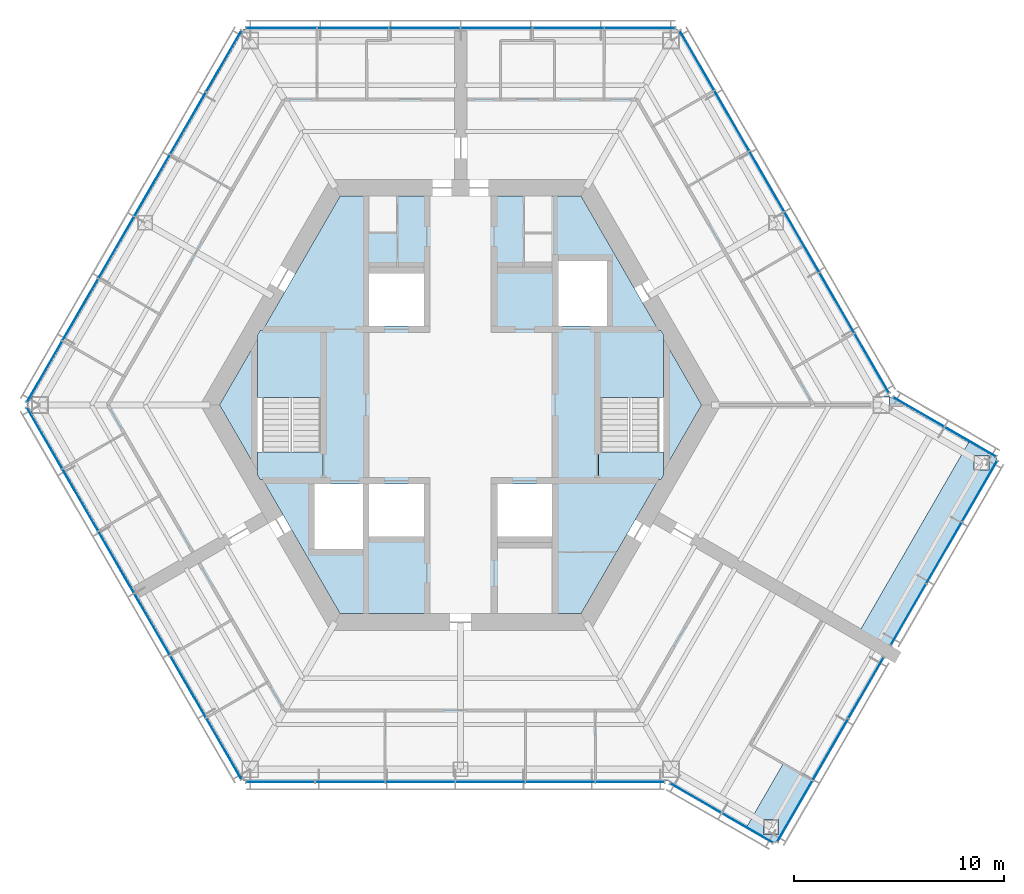
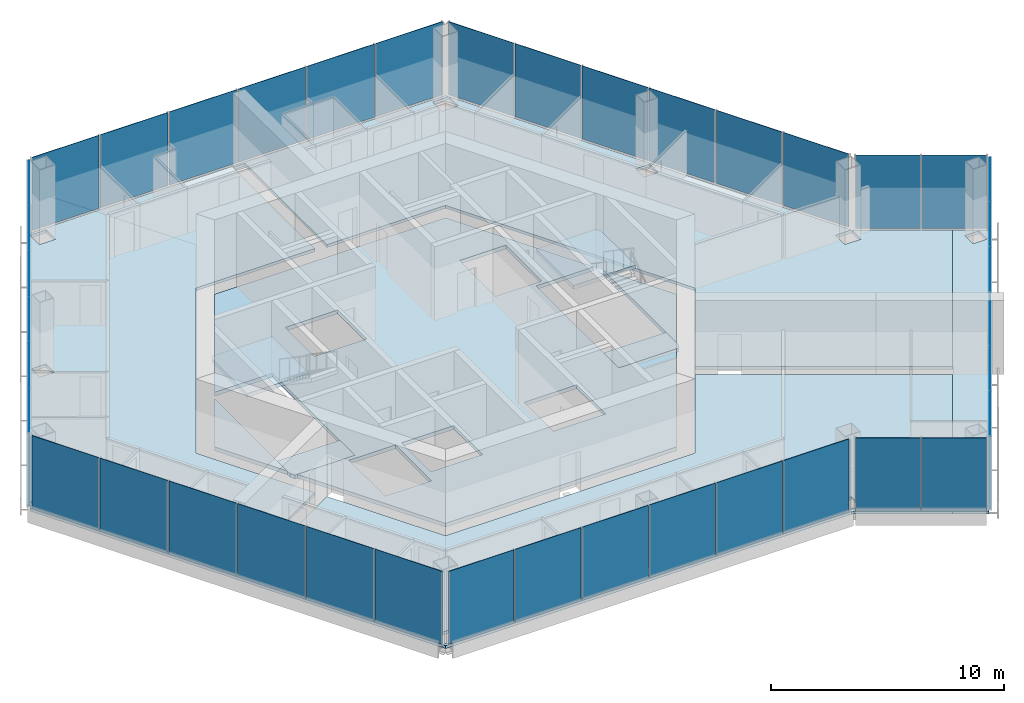
# One storey, part 6 of 13: 40 plates, 9 slabs, 11 elements without a shape of their own.
"""IFC4 building model written with IfcOpenShell, lengths in metres."""

from ifc_helpers import new_model, si_unit, direction, frame, origin, origin_2d, place, context, subcontext, project, spatial, polyline, rectangle, outline, extrude, material, layer, layer_set, type_object, element, aggregate, save


model = new_model("IFC4")

# Units and contexts
model_context = context("Model", 3, precision=1e-05, world=origin(), true_north=direction((0.0, 1.0)))
body_context = subcontext(model_context, "Body", "Model", "MODEL_VIEW")
ifc_project = project(units=[si_unit("LENGTHUNIT", "METRE"), si_unit("AREAUNIT", "SQUARE_METRE"), si_unit("VOLUMEUNIT", "CUBIC_METRE"), si_unit("PLANEANGLEUNIT", "RADIAN"), si_unit("MASSUNIT", "GRAM", prefix="KILO")], contexts=[model_context])

# Site, building, storey
site_placement = place(None, origin())
site = spatial("IfcSite", under=ifc_project, at=site_placement, CompositionType="ELEMENT")
building_placement = place(site_placement, origin())
building = spatial("IfcBuilding", under=site, at=building_placement, Name="Kasaneha Research Tower", CompositionType="ELEMENT")
storey_placement = place(building_placement, frame((0.0, 0.0, 298.60009765625)))
storey = spatial("IfcBuildingStorey", under=building, at=storey_placement, Name="L75", CompositionType="ELEMENT", Elevation=298.60009765625)

# Curtain wall, plates
ifc_material_1 = material(Name="Glass and aluminium", Category="aluminium")
curtain_wall_type = type_object("IfcCurtainWallType", Name="Crown curtain wall", PredefinedType="USERDEFINED", material=ifc_material_1)
curtain_wall_1_placement = place(storey_placement, origin())
curtain_wall_1 = element("IfcCurtainWall", 1, at=curtain_wall_1_placement, inside=storey, type_object=curtain_wall_type, Name="CW-C L75 run 01a", ObjectType="UNITISED CURTAIN WALL", PredefinedType="USERDEFINED")
ifc_material_2 = material(Name="Laminated double glazing", Category="glass")
ifc_layer_1 = layer(ifc_material_2, 0.02587890625)
ifc_layer_set_1 = layer_set([ifc_layer_1], Name="CW-C glazed panel")
plate_type = type_object("IfcPlateType", Name="CW-C glazed panel", PredefinedType="CURTAIN_PANEL", material=ifc_layer_set_1)
plate_1_placement = place(storey_placement, frame((19.549072265625, 1.981201171875, 0.06005859375), z_axis=(0.0, 0.0, 1.0), x_axis=(-0.499999979232, 0.866025415775, 0.0)))
plate_1 = element("IfcPlate", 2, at=plate_1_placement, type_object=plate_type, Name="CW-C panel 1", PredefinedType="CURTAIN_PANEL", context=body_context, shape_type="SweptSolid", body=[
    extrude(rectangle(XDim=3.240966796875, YDim=0.02587890625, at=origin_2d()), origin(), (0.0, 0.0, 1.0), 3.840087890625),
])
plate_2_placement = place(storey_placement, frame((17.89111328125, 4.852783203125, 0.06005859375), z_axis=(0.0, 0.0, 1.0), x_axis=(-0.499999979232, 0.866025415775, 0.0)))
plate_2 = element("IfcPlate", 3, at=plate_2_placement, type_object=plate_type, Name="CW-C panel 2", PredefinedType="CURTAIN_PANEL", context=body_context, shape_type="SweptSolid", body=[
    extrude(rectangle(XDim=3.27099609375, YDim=0.02587890625, at=origin_2d()), origin(), (0.0, 0.0, 1.0), 3.840087890625),
])
plate_3_placement = place(storey_placement, frame((16.2255859375, 7.737548828125, 0.06005859375), z_axis=(0.0, 0.0, 1.0), x_axis=(-0.499999979232, 0.866025415775, 0.0)))
plate_3 = element("IfcPlate", 4, at=plate_3_placement, type_object=plate_type, Name="CW-C panel 3", PredefinedType="CURTAIN_PANEL", context=body_context, shape_type="SweptSolid", body=[
    extrude(rectangle(XDim=3.27099609375, YDim=0.02587890625, at=origin_2d()), origin(), (0.0, 0.0, 1.0), 3.840087890625),
])
plate_4_placement = place(storey_placement, frame((14.56005859375, 10.622314453125, 0.06005859375), z_axis=(0.0, 0.0, 1.0), x_axis=(-0.499999979232, 0.866025415775, 0.0)))
plate_4 = element("IfcPlate", 5, at=plate_4_placement, type_object=plate_type, Name="CW-C panel 4", PredefinedType="CURTAIN_PANEL", context=body_context, shape_type="SweptSolid", body=[
    extrude(rectangle(XDim=3.27099609375, YDim=0.02587890625, at=origin_2d()), origin(), (0.0, 0.0, 1.0), 3.840087890625),
])
plate_5_placement = place(storey_placement, frame((12.89453125, 13.5068359375, 0.06005859375), z_axis=(0.0, 0.0, 1.0), x_axis=(-0.499999979232, 0.866025415775, 0.0)))
plate_5 = element("IfcPlate", 6, at=plate_5_placement, type_object=plate_type, Name="CW-C panel 5", PredefinedType="CURTAIN_PANEL", context=body_context, shape_type="SweptSolid", body=[
    extrude(rectangle(XDim=3.27099609375, YDim=0.02587890625, at=origin_2d()), origin(), (0.0, 0.0, 1.0), 3.840087890625),
])
plate_6_placement = place(storey_placement, frame((11.236572265625, 16.378662109375, 0.06005859375), z_axis=(0.0, 0.0, 1.0), x_axis=(-0.499999979232, 0.866025415775, 0.0)))
plate_6 = element("IfcPlate", 7, at=plate_6_placement, type_object=plate_type, Name="CW-C panel 6", PredefinedType="CURTAIN_PANEL", context=body_context, shape_type="SweptSolid", body=[
    extrude(rectangle(XDim=3.240966796875, YDim=0.02587890625, at=origin_2d()), origin(), (0.0, 0.0, 1.0), 3.840087890625),
])
aggregate(curtain_wall_1, [plate_1, plate_2, plate_3, plate_4, plate_5, plate_6])

curtain_wall_2_placement = place(storey_placement, origin())
curtain_wall_2 = element("IfcCurtainWall", 8, at=curtain_wall_2_placement, inside=storey, type_object=curtain_wall_type, Name="CW-C L75 run 02a", ObjectType="UNITISED CURTAIN WALL", PredefinedType="USERDEFINED")
plate_7_placement = place(storey_placement, frame((8.523681640625, 17.92041015625, 0.06005859375), z_axis=(0.0, 0.0, 1.0), x_axis=(-1.0, 0.0, 0.0)))
plate_7 = element("IfcPlate", 9, at=plate_7_placement, type_object=plate_type, Name="CW-C panel 1", PredefinedType="CURTAIN_PANEL", context=body_context, shape_type="SweptSolid", body=[
    extrude(rectangle(XDim=3.325439453125, YDim=0.02587890625, at=origin_2d()), origin(), (0.0, 0.0, 1.0), 3.840087890625),
])
plate_8_placement = place(storey_placement, frame((5.123291015625, 17.92041015625, 0.06005859375), z_axis=(0.0, 0.0, 1.0), x_axis=(-1.0, 0.0, 0.0)))
plate_8 = element("IfcPlate", 10, at=plate_8_placement, type_object=plate_type, Name="CW-C panel 2", PredefinedType="CURTAIN_PANEL", context=body_context, shape_type="SweptSolid", body=[
    extrude(rectangle(XDim=3.35546875, YDim=0.02587890625, at=origin_2d()), origin(), (0.0, 0.0, 1.0), 3.840087890625),
])
plate_9_placement = place(storey_placement, frame((1.707763671875, 17.92041015625, 0.06005859375), z_axis=(0.0, 0.0, 1.0), x_axis=(-1.0, 0.0, 0.0)))
plate_9 = element("IfcPlate", 11, at=plate_9_placement, type_object=plate_type, Name="CW-C panel 3", PredefinedType="CURTAIN_PANEL", context=body_context, shape_type="SweptSolid", body=[
    extrude(rectangle(XDim=3.35546875, YDim=0.02587890625, at=origin_2d()), origin(), (0.0, 0.0, 1.0), 3.840087890625),
])
plate_10_placement = place(storey_placement, frame((-1.707763671875, 17.92041015625, 0.06005859375), z_axis=(0.0, 0.0, 1.0), x_axis=(-1.0, 0.0, 0.0)))
plate_10 = element("IfcPlate", 12, at=plate_10_placement, type_object=plate_type, Name="CW-C panel 4", PredefinedType="CURTAIN_PANEL", context=body_context, shape_type="SweptSolid", body=[
    extrude(rectangle(XDim=3.35546875, YDim=0.02587890625, at=origin_2d()), origin(), (0.0, 0.0, 1.0), 3.840087890625),
])
plate_11_placement = place(storey_placement, frame((-5.123291015625, 17.92041015625, 0.06005859375), z_axis=(0.0, 0.0, 1.0), x_axis=(-1.0, 0.0, 0.0)))
plate_11 = element("IfcPlate", 13, at=plate_11_placement, type_object=plate_type, Name="CW-C panel 5", PredefinedType="CURTAIN_PANEL", context=body_context, shape_type="SweptSolid", body=[
    extrude(rectangle(XDim=3.35546875, YDim=0.02587890625, at=origin_2d()), origin(), (0.0, 0.0, 1.0), 3.840087890625),
])
plate_12_placement = place(storey_placement, frame((-8.523681640625, 17.92041015625, 0.06005859375), z_axis=(0.0, 0.0, 1.0), x_axis=(-1.0, 0.0, 0.0)))
plate_12 = element("IfcPlate", 14, at=plate_12_placement, type_object=plate_type, Name="CW-C panel 6", PredefinedType="CURTAIN_PANEL", context=body_context, shape_type="SweptSolid", body=[
    extrude(rectangle(XDim=3.325439453125, YDim=0.02587890625, at=origin_2d()), origin(), (0.0, 0.0, 1.0), 3.840087890625),
])
aggregate(curtain_wall_2, [plate_7, plate_8, plate_9, plate_10, plate_11, plate_12])

curtain_wall_3_placement = place(storey_placement, origin())
curtain_wall_3 = element("IfcCurtainWall", 15, at=curtain_wall_3_placement, inside=storey, type_object=curtain_wall_type, Name="CW-C L75 run 03a", ObjectType="UNITISED CURTAIN WALL", PredefinedType="USERDEFINED")
plate_13_placement = place(storey_placement, frame((-11.2578125, 16.342041015625, 0.06005859375), z_axis=(0.0, 0.0, 1.0), x_axis=(-0.499999995722, -0.866025406254, 0.0)))
plate_13 = element("IfcPlate", 16, at=plate_13_placement, type_object=plate_type, Name="CW-C panel 1", PredefinedType="CURTAIN_PANEL", context=body_context, shape_type="SweptSolid", body=[
    extrude(rectangle(XDim=3.325439453125, YDim=0.02587890625, at=origin_2d()), origin(), (0.0, 0.0, 1.0), 3.840087890625),
])
plate_14_placement = place(storey_placement, frame((-12.9580078125, 13.39697265625, 0.06005859375), z_axis=(0.0, 0.0, 1.0), x_axis=(-0.499999995722, -0.866025406254, 0.0)))
plate_14 = element("IfcPlate", 17, at=plate_14_placement, type_object=plate_type, Name="CW-C panel 2", PredefinedType="CURTAIN_PANEL", context=body_context, shape_type="SweptSolid", body=[
    extrude(rectangle(XDim=3.35546875, YDim=0.02587890625, at=origin_2d()), origin(), (0.0, 0.0, 1.0), 3.840087890625),
])
plate_15_placement = place(storey_placement, frame((-14.665771484375, 10.439208984375, 0.06005859375), z_axis=(0.0, 0.0, 1.0), x_axis=(-0.499999995722, -0.866025406254, 0.0)))
plate_15 = element("IfcPlate", 18, at=plate_15_placement, type_object=plate_type, Name="CW-C panel 3", PredefinedType="CURTAIN_PANEL", context=body_context, shape_type="SweptSolid", body=[
    extrude(rectangle(XDim=3.35546875, YDim=0.02587890625, at=origin_2d()), origin(), (0.0, 0.0, 1.0), 3.840087890625),
])
plate_16_placement = place(storey_placement, frame((-16.37353515625, 7.481201171875, 0.06005859375), z_axis=(0.0, 0.0, 1.0), x_axis=(-0.499999995722, -0.866025406254, 0.0)))
plate_16 = element("IfcPlate", 19, at=plate_16_placement, type_object=plate_type, Name="CW-C panel 4", PredefinedType="CURTAIN_PANEL", context=body_context, shape_type="SweptSolid", body=[
    extrude(rectangle(XDim=3.35546875, YDim=0.02587890625, at=origin_2d()), origin(), (0.0, 0.0, 1.0), 3.840087890625),
])
plate_17_placement = place(storey_placement, frame((-18.081298828125, 4.5234375, 0.06005859375), z_axis=(0.0, 0.0, 1.0), x_axis=(-0.499999995722, -0.866025406254, 0.0)))
plate_17 = element("IfcPlate", 20, at=plate_17_placement, type_object=plate_type, Name="CW-C panel 5", PredefinedType="CURTAIN_PANEL", context=body_context, shape_type="SweptSolid", body=[
    extrude(rectangle(XDim=3.35546875, YDim=0.02587890625, at=origin_2d()), origin(), (0.0, 0.0, 1.0), 3.840087890625),
])
plate_18_placement = place(storey_placement, frame((-19.781494140625, 1.57861328125, 0.06005859375), z_axis=(0.0, 0.0, 1.0), x_axis=(-0.499999995722, -0.866025406254, 0.0)))
plate_18 = element("IfcPlate", 21, at=plate_18_placement, type_object=plate_type, Name="CW-C panel 6", PredefinedType="CURTAIN_PANEL", context=body_context, shape_type="SweptSolid", body=[
    extrude(rectangle(XDim=3.325439453125, YDim=0.02587890625, at=origin_2d()), origin(), (0.0, 0.0, 1.0), 3.840087890625),
])
aggregate(curtain_wall_3, [plate_13, plate_14, plate_15, plate_16, plate_17, plate_18])

curtain_wall_4_placement = place(storey_placement, origin())
curtain_wall_4 = element("IfcCurtainWall", 22, at=curtain_wall_4_placement, inside=storey, type_object=curtain_wall_type, Name="CW-C L75 run 04a", ObjectType="UNITISED CURTAIN WALL", PredefinedType="USERDEFINED")
plate_19_placement = place(storey_placement, frame((-19.781494140625, -1.57861328125, 0.06005859375), z_axis=(0.0, 0.0, 1.0), x_axis=(0.499999995722, -0.866025406254, 0.0)))
plate_19 = element("IfcPlate", 23, at=plate_19_placement, type_object=plate_type, Name="CW-C panel 1", PredefinedType="CURTAIN_PANEL", context=body_context, shape_type="SweptSolid", body=[
    extrude(rectangle(XDim=3.325439453125, YDim=0.02587890625, at=origin_2d()), origin(), (0.0, 0.0, 1.0), 3.840087890625),
])
plate_20_placement = place(storey_placement, frame((-18.081298828125, -4.5234375, 0.06005859375), z_axis=(0.0, 0.0, 1.0), x_axis=(0.499999995722, -0.866025406254, 0.0)))
plate_20 = element("IfcPlate", 24, at=plate_20_placement, type_object=plate_type, Name="CW-C panel 2", PredefinedType="CURTAIN_PANEL", context=body_context, shape_type="SweptSolid", body=[
    extrude(rectangle(XDim=3.35546875, YDim=0.02587890625, at=origin_2d()), origin(), (0.0, 0.0, 1.0), 3.840087890625),
])
plate_21_placement = place(storey_placement, frame((-16.37353515625, -7.481201171875, 0.06005859375), z_axis=(0.0, 0.0, 1.0), x_axis=(0.499999995722, -0.866025406254, 0.0)))
plate_21 = element("IfcPlate", 25, at=plate_21_placement, type_object=plate_type, Name="CW-C panel 3", PredefinedType="CURTAIN_PANEL", context=body_context, shape_type="SweptSolid", body=[
    extrude(rectangle(XDim=3.35546875, YDim=0.02587890625, at=origin_2d()), origin(), (0.0, 0.0, 1.0), 3.840087890625),
])
plate_22_placement = place(storey_placement, frame((-14.665771484375, -10.439208984375, 0.06005859375), z_axis=(0.0, 0.0, 1.0), x_axis=(0.499999995722, -0.866025406254, 0.0)))
plate_22 = element("IfcPlate", 26, at=plate_22_placement, type_object=plate_type, Name="CW-C panel 4", PredefinedType="CURTAIN_PANEL", context=body_context, shape_type="SweptSolid", body=[
    extrude(rectangle(XDim=3.35546875, YDim=0.02587890625, at=origin_2d()), origin(), (0.0, 0.0, 1.0), 3.840087890625),
])
plate_23_placement = place(storey_placement, frame((-12.9580078125, -13.39697265625, 0.06005859375), z_axis=(0.0, 0.0, 1.0), x_axis=(0.499999995722, -0.866025406254, 0.0)))
plate_23 = element("IfcPlate", 27, at=plate_23_placement, type_object=plate_type, Name="CW-C panel 5", PredefinedType="CURTAIN_PANEL", context=body_context, shape_type="SweptSolid", body=[
    extrude(rectangle(XDim=3.35546875, YDim=0.02587890625, at=origin_2d()), origin(), (0.0, 0.0, 1.0), 3.840087890625),
])
plate_24_placement = place(storey_placement, frame((-11.2578125, -16.342041015625, 0.06005859375), z_axis=(0.0, 0.0, 1.0), x_axis=(0.499999995722, -0.866025406254, 0.0)))
plate_24 = element("IfcPlate", 28, at=plate_24_placement, type_object=plate_type, Name="CW-C panel 6", PredefinedType="CURTAIN_PANEL", context=body_context, shape_type="SweptSolid", body=[
    extrude(rectangle(XDim=3.325439453125, YDim=0.02587890625, at=origin_2d()), origin(), (0.0, 0.0, 1.0), 3.840087890625),
])
aggregate(curtain_wall_4, [plate_19, plate_20, plate_21, plate_22, plate_23, plate_24])

curtain_wall_5_placement = place(storey_placement, origin())
curtain_wall_5 = element("IfcCurtainWall", 29, at=curtain_wall_5_placement, inside=storey, type_object=curtain_wall_type, Name="CW-C L75 run 05a", ObjectType="UNITISED CURTAIN WALL", PredefinedType="USERDEFINED")
plate_25_placement = place(storey_placement, frame((-8.56591796875, -17.92041015625, 0.06005859375), z_axis=(0.0, 0.0, 1.0), x_axis=(1.0, 0.0, 0.0)))
plate_25 = element("IfcPlate", 30, at=plate_25_placement, type_object=plate_type, Name="CW-C panel 1", PredefinedType="CURTAIN_PANEL", context=body_context, shape_type="SweptSolid", body=[
    extrude(rectangle(XDim=3.240966796875, YDim=0.02587890625, at=origin_2d()), origin(), (0.0, 0.0, 1.0), 3.840087890625),
])
plate_26_placement = place(storey_placement, frame((-5.25, -17.92041015625, 0.06005859375), z_axis=(0.0, 0.0, 1.0), x_axis=(1.0, 0.0, 0.0)))
plate_26 = element("IfcPlate", 31, at=plate_26_placement, type_object=plate_type, Name="CW-C panel 2", PredefinedType="CURTAIN_PANEL", context=body_context, shape_type="SweptSolid", body=[
    extrude(rectangle(XDim=3.27099609375, YDim=0.02587890625, at=origin_2d()), origin(), (0.0, 0.0, 1.0), 3.840087890625),
])
plate_27_placement = place(storey_placement, frame((-1.9189453125, -17.92041015625, 0.06005859375), z_axis=(0.0, 0.0, 1.0), x_axis=(1.0, 0.0, 0.0)))
plate_27 = element("IfcPlate", 32, at=plate_27_placement, type_object=plate_type, Name="CW-C panel 3", PredefinedType="CURTAIN_PANEL", context=body_context, shape_type="SweptSolid", body=[
    extrude(rectangle(XDim=3.27099609375, YDim=0.02587890625, at=origin_2d()), origin(), (0.0, 0.0, 1.0), 3.840087890625),
])
plate_28_placement = place(storey_placement, frame((1.411865234375, -17.92041015625, 0.06005859375), z_axis=(0.0, 0.0, 1.0), x_axis=(1.0, 0.0, 0.0)))
plate_28 = element("IfcPlate", 33, at=plate_28_placement, type_object=plate_type, Name="CW-C panel 4", PredefinedType="CURTAIN_PANEL", context=body_context, shape_type="SweptSolid", body=[
    extrude(rectangle(XDim=3.27099609375, YDim=0.02587890625, at=origin_2d()), origin(), (0.0, 0.0, 1.0), 3.840087890625),
])
plate_29_placement = place(storey_placement, frame((4.742919921875, -17.92041015625, 0.06005859375), z_axis=(0.0, 0.0, 1.0), x_axis=(1.0, 0.0, 0.0)))
plate_29 = element("IfcPlate", 34, at=plate_29_placement, type_object=plate_type, Name="CW-C panel 5", PredefinedType="CURTAIN_PANEL", context=body_context, shape_type="SweptSolid", body=[
    extrude(rectangle(XDim=3.27099609375, YDim=0.02587890625, at=origin_2d()), origin(), (0.0, 0.0, 1.0), 3.840087890625),
])
plate_30_placement = place(storey_placement, frame((8.058837890625, -17.92041015625, 0.06005859375), z_axis=(0.0, 0.0, 1.0), x_axis=(1.0, 0.0, 0.0)))
plate_30 = element("IfcPlate", 35, at=plate_30_placement, type_object=plate_type, Name="CW-C panel 6", PredefinedType="CURTAIN_PANEL", context=body_context, shape_type="SweptSolid", body=[
    extrude(rectangle(XDim=3.240966796875, YDim=0.02587890625, at=origin_2d()), origin(), (0.0, 0.0, 1.0), 3.840087890625),
])
aggregate(curtain_wall_5, [plate_25, plate_26, plate_27, plate_28, plate_29, plate_30])

curtain_wall_6_placement = place(storey_placement, origin())
curtain_wall_6 = element("IfcCurtainWall", 36, at=curtain_wall_6_placement, inside=storey, type_object=curtain_wall_type, Name="CW-C L75 run 06a", ObjectType="UNITISED CURTAIN WALL", PredefinedType="USERDEFINED")
plate_31_placement = place(storey_placement, frame((11.181396484375, -18.6953125, 0.06005859375), z_axis=(0.0, 0.0, 1.0), x_axis=(0.866025443395, -0.499999931393, 0.0)))
plate_31 = element("IfcPlate", 37, at=plate_31_placement, type_object=plate_type, Name="CW-C panel 1", PredefinedType="CURTAIN_PANEL", context=body_context, shape_type="SweptSolid", body=[
    extrude(rectangle(XDim=2.779541015625, YDim=0.02587890625, at=origin_2d()), origin(), (0.0, 0.0, 1.0), 3.840087890625),
])
plate_32_placement = place(storey_placement, frame((13.640625, -20.115234375, 0.06005859375), z_axis=(0.0, 0.0, 1.0), x_axis=(0.866025443395, -0.499999931393, 0.0)))
plate_32 = element("IfcPlate", 38, at=plate_32_placement, type_object=plate_type, Name="CW-C panel 2", PredefinedType="CURTAIN_PANEL", context=body_context, shape_type="SweptSolid", body=[
    extrude(rectangle(XDim=2.779541015625, YDim=0.02587890625, at=origin_2d()), origin(), (0.0, 0.0, 1.0), 3.840087890625),
])
aggregate(curtain_wall_6, [plate_31, plate_32])

curtain_wall_7_placement = place(storey_placement, origin())
curtain_wall_7 = element("IfcCurtainWall", 39, at=curtain_wall_7_placement, inside=storey, type_object=curtain_wall_type, Name="CW-C L75 run 07a", ObjectType="UNITISED CURTAIN WALL", PredefinedType="USERDEFINED")
plate_33_placement = place(storey_placement, frame((15.89013671875, -19.318359375, 0.06005859375), z_axis=(0.0, 0.0, 1.0), x_axis=(0.500000011442, 0.866025397178, 0.0)))
plate_33 = element("IfcPlate", 40, at=plate_33_placement, type_object=plate_type, Name="CW-C panel 1", PredefinedType="CURTAIN_PANEL", context=body_context, shape_type="SweptSolid", body=[
    extrude(rectangle(XDim=3.31005859375, YDim=0.02587890625, at=origin_2d()), origin(), (0.0, 0.0, 1.0), 3.840087890625),
])
plate_34_placement = place(storey_placement, frame((17.582763671875, -16.38671875, 0.06005859375), z_axis=(0.0, 0.0, 1.0), x_axis=(0.500000011442, 0.866025397178, 0.0)))
plate_34 = element("IfcPlate", 41, at=plate_34_placement, type_object=plate_type, Name="CW-C panel 2", PredefinedType="CURTAIN_PANEL", context=body_context, shape_type="SweptSolid", body=[
    extrude(rectangle(XDim=3.340087890625, YDim=0.02587890625, at=origin_2d()), origin(), (0.0, 0.0, 1.0), 3.840087890625),
])
plate_35_placement = place(storey_placement, frame((19.275146484375, -13.455322265625, 0.06005859375), z_axis=(0.0, 0.0, 1.0), x_axis=(0.500000011442, 0.866025397178, 0.0)))
plate_35 = element("IfcPlate", 42, at=plate_35_placement, type_object=plate_type, Name="CW-C panel 3", PredefinedType="CURTAIN_PANEL", context=body_context, shape_type="SweptSolid", body=[
    extrude(rectangle(XDim=3.31005859375, YDim=0.02587890625, at=origin_2d()), origin(), (0.0, 0.0, 1.0), 3.840087890625),
])
aggregate(curtain_wall_7, [plate_33, plate_34, plate_35])

curtain_wall_8_placement = place(storey_placement, origin())
curtain_wall_8 = element("IfcCurtainWall", 43, at=curtain_wall_8_placement, inside=storey, type_object=curtain_wall_type, Name="CW-C L75 run 08a", ObjectType="UNITISED CURTAIN WALL", PredefinedType="USERDEFINED")
plate_36_placement = place(storey_placement, frame((21.290283203125, -9.96533203125, 0.06005859375), z_axis=(0.0, 0.0, 1.0), x_axis=(0.500000011442, 0.866025397178, 0.0)))
plate_36 = element("IfcPlate", 44, at=plate_36_placement, type_object=plate_type, Name="CW-C panel 1", PredefinedType="CURTAIN_PANEL", context=body_context, shape_type="SweptSolid", body=[
    extrude(rectangle(XDim=3.31005859375, YDim=0.02587890625, at=origin_2d()), origin(), (0.0, 0.0, 1.0), 3.840087890625),
])
plate_37_placement = place(storey_placement, frame((22.982666015625, -7.03369140625, 0.06005859375), z_axis=(0.0, 0.0, 1.0), x_axis=(0.500000011442, 0.866025397178, 0.0)))
plate_37 = element("IfcPlate", 45, at=plate_37_placement, type_object=plate_type, Name="CW-C panel 2", PredefinedType="CURTAIN_PANEL", context=body_context, shape_type="SweptSolid", body=[
    extrude(rectangle(XDim=3.340087890625, YDim=0.02587890625, at=origin_2d()), origin(), (0.0, 0.0, 1.0), 3.840087890625),
])
plate_38_placement = place(storey_placement, frame((24.67529296875, -4.102294921875, 0.06005859375), z_axis=(0.0, 0.0, 1.0), x_axis=(0.500000011442, 0.866025397178, 0.0)))
plate_38 = element("IfcPlate", 46, at=plate_38_placement, type_object=plate_type, Name="CW-C panel 3", PredefinedType="CURTAIN_PANEL", context=body_context, shape_type="SweptSolid", body=[
    extrude(rectangle(XDim=3.31005859375, YDim=0.02587890625, at=origin_2d()), origin(), (0.0, 0.0, 1.0), 3.840087890625),
])
aggregate(curtain_wall_8, [plate_36, plate_37, plate_38])

curtain_wall_9_placement = place(storey_placement, origin())
curtain_wall_9 = element("IfcCurtainWall", 47, at=curtain_wall_9_placement, inside=storey, type_object=curtain_wall_type, Name="CW-C L75 run 09a", ObjectType="UNITISED CURTAIN WALL", PredefinedType="USERDEFINED")
plate_39_placement = place(storey_placement, frame((24.240478515625, -1.75537109375, 0.06005859375), z_axis=(0.0, 0.0, 1.0), x_axis=(-0.866025443395, 0.499999931393, 0.0)))
plate_39 = element("IfcPlate", 48, at=plate_39_placement, type_object=plate_type, Name="CW-C panel 1", PredefinedType="CURTAIN_PANEL", context=body_context, shape_type="SweptSolid", body=[
    extrude(rectangle(XDim=2.779541015625, YDim=0.02587890625, at=origin_2d()), origin(), (0.0, 0.0, 1.0), 3.840087890625),
])
plate_40_placement = place(storey_placement, frame((21.781494140625, -0.335693359375, 0.06005859375), z_axis=(0.0, 0.0, 1.0), x_axis=(-0.866025443395, 0.499999931393, 0.0)))
plate_40 = element("IfcPlate", 49, at=plate_40_placement, type_object=plate_type, Name="CW-C panel 2", PredefinedType="CURTAIN_PANEL", context=body_context, shape_type="SweptSolid", body=[
    extrude(rectangle(XDim=2.779541015625, YDim=0.02587890625, at=origin_2d()), origin(), (0.0, 0.0, 1.0), 3.840087890625),
])
aggregate(curtain_wall_9, [plate_39, plate_40])

# Slabs
ifc_material_3 = material(Name="Concrete Fc24", Category="concrete")
ifc_layer_2 = layer(ifc_material_3, 0.199951171875)
ifc_layer_set_2 = layer_set([ifc_layer_2], Name="Core floor slab 200")
slab_type_1 = type_object("IfcSlabType", Name="Core floor slab 200", PredefinedType="FLOOR", material=ifc_layer_set_2)
slab_1_placement = place(storey_placement, frame((0.0, 0.0, -0.2001953125)))
element("IfcSlab", 50, at=slab_1_placement, inside=storey, type_object=slab_type_1, Name="Core slab L75", PredefinedType="FLOOR", context=body_context, shape_type="SweptSolid", body=[
    extrude(outline(polyline([(-11.46044921875, 0.0), (-9.64990234375, 3.1357421875), (-9.64990234375, -3.1357421875), (-11.46044921875, 0.0)])), origin(), (0.0, 0.0, 1.0), 0.2001953125),
])
slab_2_placement = place(storey_placement, frame((0.0, 0.0, -0.2001953125)))
element("IfcSlab", 51, at=slab_2_placement, inside=storey, type_object=slab_type_1, Name="Core slab L75", PredefinedType="FLOOR", context=body_context, shape_type="SweptSolid", body=[
    extrude(outline(polyline([(-5.730224609375, 9.925048828125), (5.730224609375, 9.925048828125), (9.410888671875, 3.550048828125), (6.550048828125, 3.550048828125), (6.550048828125, -3.550048828125), (9.410888671875, -3.550048828125), (5.730224609375, -9.925048828125), (-5.730224609375, -9.925048828125), (-9.410888671875, -3.550048828125), (-6.550048828125, -3.550048828125), (-6.550048828125, 3.550048828125), (-9.410888671875, 3.550048828125), (-5.730224609375, 9.925048828125)]), holes=[polyline([(-6.949951171875, -6.85009765625), (-4.64990234375, -6.85009765625), (-4.64990234375, -3.75), (-6.949951171875, -3.75), (-6.949951171875, -6.85009765625)]), polyline([(-4.35009765625, -3.75), (-4.35009765625, -6.25), (-1.75, -6.25), (-1.75, -3.75), (-4.35009765625, -3.75)]), polyline([(1.75, -3.75), (1.75, -6.25), (4.35009765625, -6.25), (4.35009765625, -3.75), (1.75, -3.75)]), polyline([(-4.35009765625, 6.25), (-4.35009765625, 3.75), (-1.75, 3.75), (-1.75, 6.25), (-4.35009765625, 6.25)]), polyline([(4.64990234375, 6.85009765625), (4.64990234375, 3.75), (6.949951171875, 3.75), (6.949951171875, 6.85009765625), (4.64990234375, 6.85009765625)])]), origin(), (0.0, 0.0, 1.0), 0.2001953125),
])
slab_3_placement = place(storey_placement, frame((0.0, 0.0, -0.2001953125)))
element("IfcSlab", 52, at=slab_3_placement, inside=storey, type_object=slab_type_1, Name="Core slab L75", PredefinedType="FLOOR", context=body_context, shape_type="SweptSolid", body=[
    extrude(outline(polyline([(11.46044921875, 0.0), (9.64990234375, -3.1357421875), (9.64990234375, 3.1357421875), (11.46044921875, 0.0)])), origin(), (0.0, 0.0, 1.0), 0.2001953125),
])
ifc_material_4 = material(Name="Concrete Fc24", Category="concrete")
ifc_layer_3 = layer(ifc_material_4, 0.14990234375)
ifc_layer_set_3 = layer_set([ifc_layer_3], Name="Floor slab 150")
slab_type_2 = type_object("IfcSlabType", Name="Floor slab 150", PredefinedType="FLOOR", material=ifc_layer_set_3)
slab_4_placement = place(storey_placement, frame((0.0, 0.0, -0.150146484375)))
element("IfcSlab", 53, at=slab_4_placement, inside=storey, type_object=slab_type_2, Name="Floor slab L75 1", PredefinedType="FLOOR", context=body_context, shape_type="SweptSolid", body=[
    extrude(outline(polyline([(-10.317626953125, -17.87060546875), (-10.3974609375, -17.732177734375), (-10.385986328125, -17.720703125), (-9.599853515625, -17.720703125), (-9.599853515625, -16.92041015625), (-10.400146484375, -16.92041015625), (-10.400146484375, -17.70654296875), (-10.40771484375, -17.714111328125), (-20.635009765625, 0.0), (-20.40771484375, 0.3935546875), (-20.400146484375, 0.385986328125), (-20.400146484375, -0.400146484375), (-19.599853515625, -0.400146484375), (-19.599853515625, 0.400146484375), (-20.385986328125, 0.400146484375), (-20.3974609375, 0.41162109375), (-10.40771484375, 17.714111328125), (-10.400146484375, 17.70654296875), (-10.400146484375, 16.92041015625), (-9.599853515625, 16.92041015625), (-9.599853515625, 17.720703125), (-10.385986328125, 17.720703125), (-10.3974609375, 17.732177734375), (-10.317626953125, 17.87060546875), (10.317626953125, 17.87060546875), (10.3974609375, 17.732177734375), (10.385986328125, 17.720703125), (9.599853515625, 17.720703125), (9.599853515625, 16.92041015625), (10.400146484375, 16.92041015625), (10.400146484375, 17.70654296875), (10.40771484375, 17.714111328125), (20.3974609375, 0.41162109375), (20.385986328125, 0.400146484375), (19.599853515625, 0.400146484375), (19.599853515625, -0.400146484375), (20.400146484375, -0.400146484375), (20.400146484375, 0.385986328125), (20.41162109375, 0.3974609375), (24.163330078125, -1.768798828125), (19.038330078125, -10.6455078125), (9.438232421875, -5.102783203125), (12.38427734375, 0.0), (6.192138671875, 10.72509765625), (0.300048828125, 10.72509765625), (0.300048828125, 17.7705078125), (-0.300048828125, 17.7705078125), (-0.300048828125, 10.72509765625), (-6.192138671875, 10.72509765625), (-12.38427734375, 0.0), (-9.438232421875, -5.102783203125), (-15.539794921875, -8.62548828125), (-15.23974609375, -9.14501953125), (-9.13818359375, -5.622314453125), (-6.192138671875, -10.72509765625), (6.192138671875, -10.72509765625), (9.13818359375, -5.622314453125), (18.738525390625, -11.1650390625), (13.613525390625, -20.041748046875), (9.8525390625, -17.87060546875), (-10.317626953125, -17.87060546875)]), holes=[polyline([(0.35009765625, -17.67041015625), (0.35009765625, -16.970458984375), (-0.35009765625, -16.970458984375), (-0.35009765625, -17.67041015625), (0.35009765625, -17.67041015625)]), polyline([(-15.35009765625, 8.310302734375), (-14.64990234375, 8.310302734375), (-14.64990234375, 9.01025390625), (-15.35009765625, 9.01025390625), (-15.35009765625, 8.310302734375)]), polyline([(9.60009765625, -17.720458984375), (10.39990234375, -17.720458984375), (10.39990234375, -16.92041015625), (9.60009765625, -16.92041015625), (9.60009765625, -17.720458984375)]), polyline([(14.64990234375, 8.310302734375), (15.35009765625, 8.310302734375), (15.35009765625, 9.01025390625), (14.64990234375, 9.01025390625), (14.64990234375, 8.310302734375)])]), origin(), (0.0, 0.0, 1.0), 0.150146484375),
])
slab_5_placement = place(storey_placement, frame((0.0, 0.0, -0.150146484375)))
element("IfcSlab", 54, at=slab_5_placement, inside=storey, type_object=slab_type_2, Name="Floor slab L75 2", PredefinedType="FLOOR", context=body_context, shape_type="SweptSolid", body=[
    extrude(outline(polyline([(25.514404296875, -2.548583984375), (14.96435546875, -20.82177734375), (13.613525390625, -20.041748046875), (18.738525390625, -11.1650390625), (18.7470703125, -11.170166015625), (19.047119140625, -10.650390625), (19.038330078125, -10.6455078125), (24.163330078125, -1.768798828125), (25.514404296875, -2.548583984375)]), holes=[polyline([(14.4130859375, -20.42041015625), (15.113037109375, -20.42041015625), (15.113037109375, -19.720458984375), (14.4130859375, -19.720458984375), (14.4130859375, -20.42041015625)]), polyline([(24.4130859375, -3.10009765625), (25.113037109375, -3.10009765625), (25.113037109375, -2.39990234375), (24.4130859375, -2.39990234375), (24.4130859375, -3.10009765625)])]), origin(), (0.0, 0.0, 1.0), 0.150146484375),
])

# Stair, slabs
ifc_material_5 = material(Name="Concrete Fc24", Category="concrete")
stair_type = type_object("IfcStairType", Name="Half-turn stair 22 risers", PredefinedType="HALF_TURN_STAIR", material=ifc_material_5)
stair_1_placement = place(storey_placement, origin())
stair_1 = element("IfcStair", 55, at=stair_1_placement, inside=storey, type_object=stair_type, Name="Stair 1 L75", PredefinedType="HALF_TURN_STAIR")
ifc_material_6 = material(Name="Concrete Fc24", Category="concrete")
ifc_layer_4 = layer(ifc_material_6, 0.199951171875)
ifc_layer_set_4 = layer_set([ifc_layer_4], Name="Stair 1 landing 200")
slab_type_3 = type_object("IfcSlabType", Name="Stair 1 landing 200", PredefinedType="LANDING", material=ifc_layer_set_4)
slab_6_placement = place(storey_placement, frame((0.0, 0.0, -0.2001953125)))
slab_6 = element("IfcSlab", 56, at=slab_6_placement, type_object=slab_type_3, Name="ST1-22R landing 1", PredefinedType="LANDING", context=body_context, shape_type="SweptSolid", body=[
    extrude(outline(polyline([(9.5263671875, -3.550048828125), (6.550048828125, -3.550048828125), (6.550048828125, -2.25), (9.64990234375, -2.25), (9.64990234375, -3.335693359375), (9.5263671875, -3.550048828125)])), origin(), (0.0, 0.0, 1.0), 0.2001953125),
])
slab_7_placement = place(storey_placement, frame((0.0, 0.0, 1.75)))
slab_7 = element("IfcSlab", 57, at=slab_7_placement, type_object=slab_type_3, Name="ST1-22R landing 2", PredefinedType="LANDING", context=body_context, shape_type="SweptSolid", body=[
    extrude(outline(polyline([(6.550048828125, 3.550048828125), (9.5263671875, 3.550048828125), (9.64990234375, 3.335693359375), (9.64990234375, 0.35009765625), (6.550048828125, 0.35009765625), (6.550048828125, 3.550048828125)])), origin(), (0.0, 0.0, 1.0), 0.199951171875),
])
aggregate(stair_1, [slab_6, slab_7])

stair_2_placement = place(storey_placement, origin())
stair_2 = element("IfcStair", 58, at=stair_2_placement, inside=storey, type_object=stair_type, Name="Stair 2 L75", PredefinedType="HALF_TURN_STAIR")
ifc_material_7 = material(Name="Concrete Fc24", Category="concrete")
ifc_layer_5 = layer(ifc_material_7, 0.199951171875)
ifc_layer_set_5 = layer_set([ifc_layer_5], Name="Stair 2 landing 200")
slab_type_4 = type_object("IfcSlabType", Name="Stair 2 landing 200", PredefinedType="LANDING", material=ifc_layer_set_5)
slab_8_placement = place(storey_placement, frame((0.0, 0.0, -0.2001953125)))
slab_8 = element("IfcSlab", 59, at=slab_8_placement, type_object=slab_type_4, Name="ST2-22R landing 1", PredefinedType="LANDING", context=body_context, shape_type="SweptSolid", body=[
    extrude(outline(polyline([(-6.550048828125, -3.550048828125), (-9.5263671875, -3.550048828125), (-9.64990234375, -3.335693359375), (-9.64990234375, -2.25), (-6.550048828125, -2.25), (-6.550048828125, -3.550048828125)])), origin(), (0.0, 0.0, 1.0), 0.2001953125),
])
slab_9_placement = place(storey_placement, frame((0.0, 0.0, 1.75)))
slab_9 = element("IfcSlab", 60, at=slab_9_placement, type_object=slab_type_4, Name="ST2-22R landing 2", PredefinedType="LANDING", context=body_context, shape_type="SweptSolid", body=[
    extrude(outline(polyline([(-6.550048828125, 0.35009765625), (-9.64990234375, 0.35009765625), (-9.64990234375, 3.335693359375), (-9.5263671875, 3.550048828125), (-6.550048828125, 3.550048828125), (-6.550048828125, 0.35009765625)])), origin(), (0.0, 0.0, 1.0), 0.199951171875),
])
aggregate(stair_2, [slab_8, slab_9])

save(model, "model.ifc")
